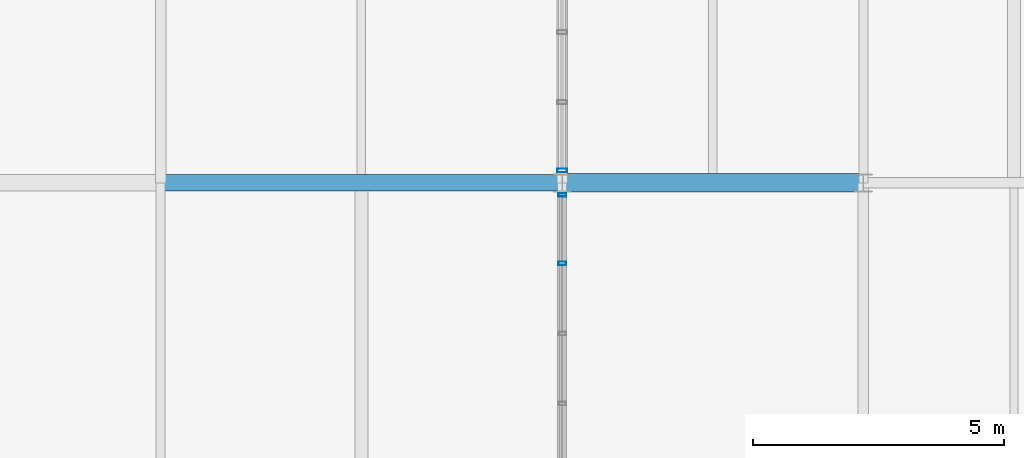
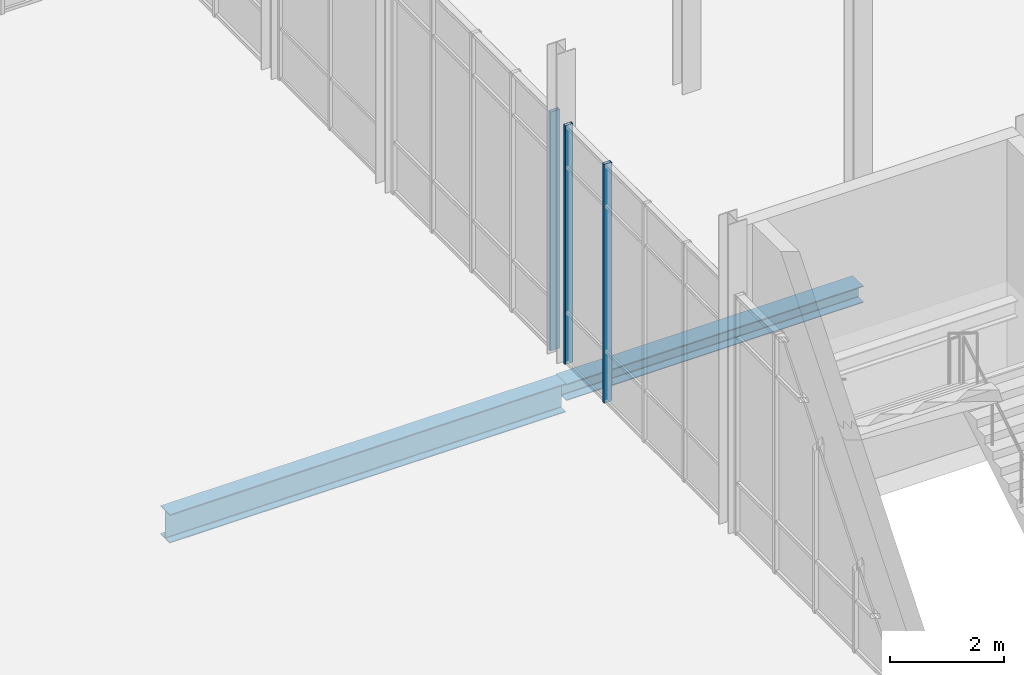
# One storey, part 81 of 140: 3 members, 2 beams, 2 elements without a shape of their own.
"""IFC4 building model written with IfcOpenShell, lengths in metres."""

from ifc_helpers import new_model, si_unit, direction, frame, origin, origin_2d, place, context, subcontext, project, spatial, hollow_rectangle, i_section, extrude, material, material_profile, profile_set, type_object, element, aggregate, save


model = new_model("IFC4")

# Units and contexts
model_context = context("Model", 3, precision=1e-05, world=origin(), true_north=direction((0.0, 1.0)))
body_context = subcontext(model_context, "Body", "Model", "MODEL_VIEW")
ifc_project = project(units=[si_unit("LENGTHUNIT", "METRE"), si_unit("AREAUNIT", "SQUARE_METRE"), si_unit("VOLUMEUNIT", "CUBIC_METRE"), si_unit("PLANEANGLEUNIT", "RADIAN"), si_unit("MASSUNIT", "GRAM", prefix="KILO")], contexts=[model_context])

# Site, building, storey
site_placement = place(None, origin())
site = spatial("IfcSite", under=ifc_project, at=site_placement, CompositionType="ELEMENT")
building_placement = place(site_placement, origin())
building = spatial("IfcBuilding", under=site, at=building_placement, Name="Verrall Gate Interchange", CompositionType="ELEMENT")
storey_placement = place(building_placement, origin())
storey = spatial("IfcBuildingStorey", under=building, at=storey_placement, Name="L01", CompositionType="ELEMENT", Elevation=0.0)

# Beams
ifc_material_1 = material(Name="Structural Steel CSA G40.21 350WT Cat 4", Category="steel")
ifc_material_profile_1 = material_profile(ifc_material_1, i_section(OverallWidth=0.323974609375, OverallDepth=0.611083984375, WebThickness=0.0126953125, FlangeThickness=0.01904296875, FilletRadius=0.014892578125, at=origin_2d()), Name="W610x155")
ifc_profile_set_1 = profile_set([ifc_material_profile_1], Name="Structural Steel CSA G40.21 350WT Cat 4")
beam_type_1 = type_object("IfcBeamType", Name="B-08 Structural Beam W610x155", PredefinedType="BEAM", material=ifc_profile_set_1)
beam_1_placement = place(storey_placement, frame((124.0, 34.0, -0.805419921875), z_axis=(1.0, 0.0, 0.0), x_axis=(0.0, 1.0, 0.0)))
element("IfcBeam", 1, at=beam_1_placement, inside=storey, type_object=beam_type_1, Name="L01 Girder BM-L01-0862 (B-08)", PredefinedType="BEAM", context=body_context, shape_type="SweptSolid", body=[
    extrude(i_section(OverallWidth=0.323974609375, OverallDepth=0.611083984375, WebThickness=0.0126953125, FlangeThickness=0.01904296875, FilletRadius=0.014892578125, at=origin_2d()), origin(), (0.0, 0.0, 1.0), 8.0),
])
ifc_material_2 = material(Name="Structural Steel CSA G40.21 350W", Category="steel")
ifc_material_profile_2 = material_profile(ifc_material_2, i_section(OverallWidth=0.368896484375, OverallDepth=0.35595703125, WebThickness=0.01123046875, FlangeThickness=0.01806640625, FilletRadius=0.014892578125, at=origin_2d()), Name="W360x134")
ifc_profile_set_2 = profile_set([ifc_material_profile_2], Name="Structural Steel CSA G40.21 350W")
beam_type_2 = type_object("IfcBeamType", Name="B-13 Structural Beam W360x134", PredefinedType="BEAM", material=ifc_profile_set_2)
beam_2_placement = place(storey_placement, frame((132.0, 34.0, -0.677978515625), z_axis=(1.0, 0.0, 0.0), x_axis=(0.0, 1.0, 0.0)))
element("IfcBeam", 2, at=beam_2_placement, inside=storey, type_object=beam_type_2, Name="L01 Girder BM-L01-0863 (B-13)", PredefinedType="BEAM", context=body_context, shape_type="SweptSolid", body=[
    extrude(i_section(OverallWidth=0.368896484375, OverallDepth=0.35595703125, WebThickness=0.01123046875, FlangeThickness=0.01806640625, FilletRadius=0.014892578125, at=origin_2d()), origin(), (0.0, 0.0, 1.0), 6.0),
])

# Curtain wall, members
ifc_material_3 = material(Name="Thermally Broken Anodized Aluminium Curtain Wall Framing", Category="aluminium")
curtain_wall_type = type_object("IfcCurtainWallType", Name="CW-04 Unitized Curtain Wall 5631x5100", PredefinedType="NOTDEFINED", material=ifc_material_3)
curtain_wall_1_placement = place(storey_placement, origin())
curtain_wall_1 = element("IfcCurtainWall", 3, at=curtain_wall_1_placement, inside=storey, type_object=curtain_wall_type, Name="L01 Unitized Curtain Wall CW-L01-048", PredefinedType="NOTDEFINED")
ifc_material_4 = material(Name="Thermally Broken Anodized Aluminium Curtain Wall Framing", Category="aluminium")
ifc_material_profile_3 = material_profile(ifc_material_4, hollow_rectangle(XDim=0.06494140625, YDim=0.159912109375, WallThickness=0.00390625, InnerFilletRadius=0.00390625, OuterFilletRadius=0.008056640625, at=origin_2d()), Name="CWM160x65x4")
ifc_profile_set_3 = profile_set([ifc_material_profile_3], Name="Thermally Broken Anodized Aluminium Curtain Wall Framing")
member_type_1 = type_object("IfcMemberType", Name="CM-01 Curtain Mullion CWM160x65x4", PredefinedType="MULLION", material=ifc_profile_set_3)
member_1_placement = place(storey_placement, frame((132.0, 33.757568359375, 0.0), z_axis=(0.0, 0.0, 1.0), x_axis=(0.0, -1.0, 0.0)))
member_1 = element("IfcMember", 4, at=member_1_placement, type_object=member_type_1, Name="CW-L01-048 Mullion 1", PredefinedType="MULLION", context=body_context, shape_type="SweptSolid", body=[
    extrude(hollow_rectangle(XDim=0.06494140625, YDim=0.159912109375, WallThickness=0.00390625, InnerFilletRadius=0.00390625, OuterFilletRadius=0.008056640625, at=origin_2d()), origin(), (0.0, 0.0, 1.0), 5.10009765625),
])
member_2_placement = place(storey_placement, frame((132.0, 32.39501953125, 0.0), z_axis=(0.0, 0.0, 1.0), x_axis=(0.0, -1.0, 0.0)))
member_2 = element("IfcMember", 5, at=member_2_placement, type_object=member_type_1, Name="CW-L01-048 Mullion 2", PredefinedType="MULLION", context=body_context, shape_type="SweptSolid", body=[
    extrude(hollow_rectangle(XDim=0.06494140625, YDim=0.159912109375, WallThickness=0.00390625, InnerFilletRadius=0.00390625, OuterFilletRadius=0.008056640625, at=origin_2d()), origin(), (0.0, 0.0, 1.0), 5.10009765625),
])
aggregate(curtain_wall_1, [member_1, member_2])

# Curtain wall, member
curtain_wall_2_placement = place(storey_placement, origin())
curtain_wall_2 = element("IfcCurtainWall", 6, at=curtain_wall_2_placement, inside=storey, type_object=curtain_wall_type, Name="L01 Unitized Curtain Wall CW-L01-047", PredefinedType="NOTDEFINED")
ifc_material_5 = material(Name="Thermally Broken Anodized Aluminium Curtain Wall Framing", Category="aluminium")
ifc_material_profile_4 = material_profile(ifc_material_5, hollow_rectangle(XDim=0.074951171875, YDim=0.199951171875, WallThickness=0.0048828125, InnerFilletRadius=0.0048828125, OuterFilletRadius=0.010009765625, at=origin_2d()), Name="CWM200x75x5")
ifc_profile_set_4 = profile_set([ifc_material_profile_4], Name="Thermally Broken Anodized Aluminium Curtain Wall Framing")
member_type_2 = type_object("IfcMemberType", Name="CM-02 Curtain Mullion CWM200x75x5", PredefinedType="MULLION", material=ifc_profile_set_4)
member_3_placement = place(storey_placement, frame((132.0, 34.24755859375, 0.0), z_axis=(0.0, 0.0, 1.0), x_axis=(0.0, -1.0, 0.0)))
member_3 = element("IfcMember", 7, at=member_3_placement, type_object=member_type_2, Name="CW-L01-047 Mullion 5", PredefinedType="MULLION", context=body_context, shape_type="SweptSolid", body=[
    extrude(hollow_rectangle(XDim=0.074951171875, YDim=0.199951171875, WallThickness=0.0048828125, InnerFilletRadius=0.0048828125, OuterFilletRadius=0.010009765625, at=origin_2d()), origin(), (0.0, 0.0, 1.0), 5.10009765625),
])
aggregate(curtain_wall_2, [member_3])

save(model, "model.ifc")
